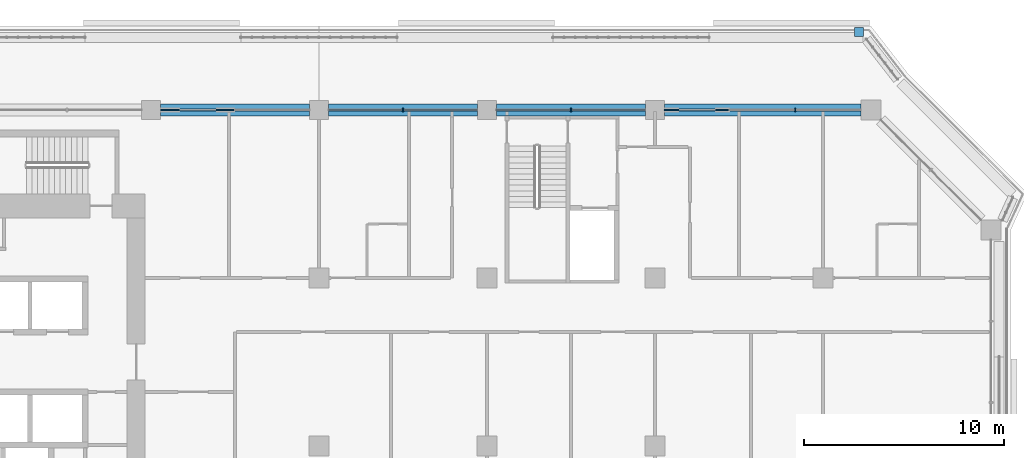
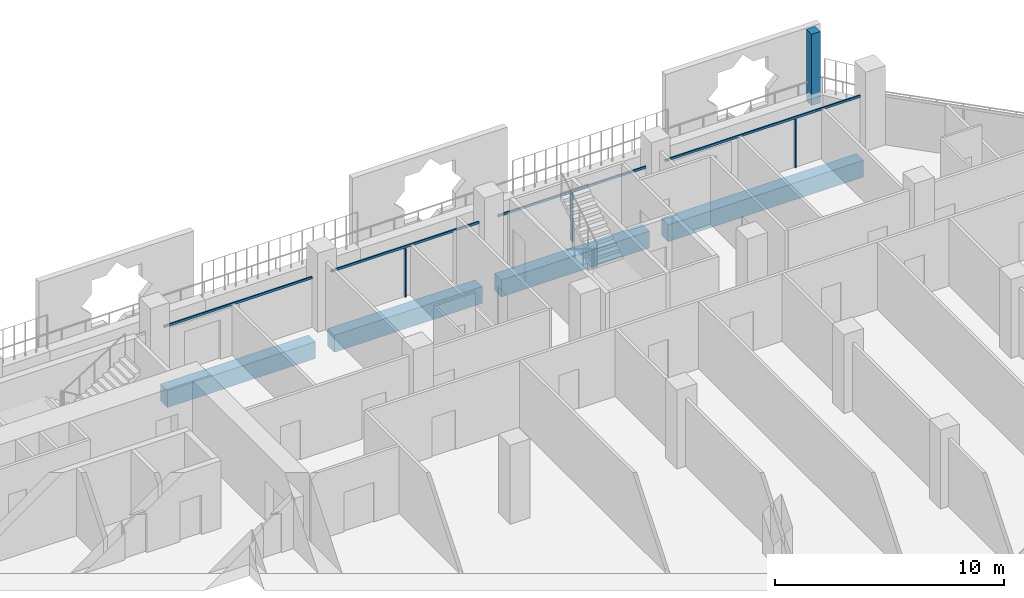
# One storey, part 6 of 21: 8 members, 4 beams, 2 elements without a shape of their own.
"""IFC4 building model written with IfcOpenShell, lengths in metres."""

import ifcopenshell
import ifcopenshell.guid

model = None  # the IFC model being written
_history = None  # IfcOwnerHistory: only IFC2X3 demands one
_inside = {}  # id of a spatial element -> (the spatial element, [elements in it])
_under = {}  # id of a project, library or spatial element -> (it, [spatial elements below it])
_declared = {}  # id of a project -> (the project, [libraries it declares])
_typed = {}  # id of a type object -> (the type object, [elements of that type])
_made_of = {}  # id of a material, layer set ... -> (it, [elements and type objects made of it])


def new_model(schema):
    """Start an empty IFC model of exactly this schema.

    Asked for "IFC4X3", IfcOpenShell would pick the latest addendum, in which some entities
    have other attributes; the version numbers below select the first issue.
    IFC2X3 requires an IfcOwnerHistory on every rooted entity: one is made here for all.
    """
    global model, _history
    if schema == "IFC4X3":
        model = ifcopenshell.file(schema_version=(4, 3, 0, 0))
    else:
        model = ifcopenshell.file(schema=schema)
    _inside.clear()
    _under.clear()
    _declared.clear()
    _typed.clear()
    _made_of.clear()
    _history = None
    if model.schema == "IFC2X3":
        org = make("IfcOrganization", Name="unknown")
        user = make(
            "IfcPersonAndOrganization",
            ThePerson=make("IfcPerson", FamilyName="unknown"),
            TheOrganization=org,
        )
        app = make(
            "IfcApplication",
            ApplicationDeveloper=org,
            Version="unknown",
            ApplicationFullName="unknown",
            ApplicationIdentifier="unknown",
        )
        _history = make(
            "IfcOwnerHistory",
            OwningUser=user,
            OwningApplication=app,
            ChangeAction="ADDED",
            CreationDate=0,
        )
    return model


def make(cls, **values):
    """One entity of the class cls with the attributes given. An attribute that is None is left unset."""
    return model.create_entity(
        cls, **{name: value for name, value in values.items() if value is not None}
    )


def rooted(cls, **values):
    """An entity with a GlobalId (a new one), such as an element, a storey or a relation."""
    return make(cls, GlobalId=ifcopenshell.guid.new(), OwnerHistory=_history, **values)


def si_unit(unit_type, name, prefix=None):
    """IfcSIUnit, for example si_unit("LENGTHUNIT", "METRE", prefix="MILLI")."""
    return make("IfcSIUnit", UnitType=unit_type, Prefix=prefix, Name=name)


def assignment(units):
    """IfcUnitAssignment: the units of a project."""
    return None if units is None else make("IfcUnitAssignment", Units=units)


def point(xyz):
    """IfcCartesianPoint."""
    return None if xyz is None else make("IfcCartesianPoint", Coordinates=xyz)


def direction(xyz):
    """IfcDirection."""
    return None if xyz is None else make("IfcDirection", DirectionRatios=xyz)


def frame(location, z_axis=None, x_axis=None):
    """IfcAxis2Placement3D, a coordinate frame: its origin and axes. An axis left out is left unset."""
    return make(
        "IfcAxis2Placement3D",
        Location=point(location),
        Axis=direction(z_axis),
        RefDirection=direction(x_axis),
    )


def frame_2d(location, x_axis=None):
    """IfcAxis2Placement2D, a coordinate frame in the plane: its origin and x axis."""
    return make(
        "IfcAxis2Placement2D", Location=point(location), RefDirection=direction(x_axis)
    )


def origin():
    """The frame at (0, 0, 0) with its axes left unset."""
    return frame((0.0, 0.0, 0.0))


def origin_2d():
    """The frame at (0, 0) in the plane with its x axis left unset."""
    return frame_2d((0.0, 0.0))


def place(relative_to, where):
    """IfcLocalPlacement: puts the frame where relative to a parent placement (None: the world)."""
    return make(
        "IfcLocalPlacement", PlacementRelTo=relative_to, RelativePlacement=where
    )


def context(
    kind, dimensions, precision=None, world=None, true_north=None, identifier=None
):
    """IfcGeometricRepresentationContext, for example the 3D "Model" context."""
    return make(
        "IfcGeometricRepresentationContext",
        ContextIdentifier=identifier,
        ContextType=kind,
        CoordinateSpaceDimension=dimensions,
        Precision=precision,
        WorldCoordinateSystem=world,
        TrueNorth=true_north,
    )


def subcontext(parent, identifier, kind, view, scale=None):
    """IfcGeometricRepresentationSubContext, for example "Body" below "Model"."""
    return make(
        "IfcGeometricRepresentationSubContext",
        ContextIdentifier=identifier,
        ContextType=kind,
        ParentContext=parent,
        TargetScale=scale,
        TargetView=view,
    )


def project(units=None, contexts=None):
    """IfcProject with its units and contexts."""
    return rooted(
        "IfcProject",
        Name="project",
        RepresentationContexts=contexts,
        UnitsInContext=assignment(units),
    )


def spatial(cls, under=None, at=None, **own):
    """A site, building, storey or space (cls), placed at a placement, below another one or the project."""
    s = rooted(cls, ObjectPlacement=at, **own)
    if under is not None:
        _under.setdefault(under.id(), (under, []))[1].append(s)
    return s


def profile(cls, at=None, kind="AREA", **sizes):
    """A parametric profile (cls). Its sizes go by their IFC names, for example OverallWidth=200.0."""
    return make(cls, ProfileType=kind, Position=at, **sizes)


def rectangle(**sizes):
    """IfcRectangleProfileDef."""
    return profile("IfcRectangleProfileDef", **sizes)


def extrude(swept, where, along, depth):
    """IfcExtrudedAreaSolid: the profile swept, set in the frame where, extruded along a direction by depth."""
    return make(
        "IfcExtrudedAreaSolid",
        SweptArea=swept,
        Position=where,
        ExtrudedDirection=direction(along),
        Depth=depth,
    )


def shape(context_of_items, identifier, shape_type, items):
    """IfcShapeRepresentation: the items that make up one representation, for example the "Body"."""
    return make(
        "IfcShapeRepresentation",
        ContextOfItems=context_of_items,
        RepresentationIdentifier=identifier,
        RepresentationType=shape_type,
        Items=items,
    )


def material(Name=None, Category=None):
    """IfcMaterial."""
    return make("IfcMaterial", Name=Name, Category=Category)


def layer(
    of_material, thickness, ventilated=None, Name=None, Category=None, Priority=None
):
    """IfcMaterialLayer: one layer of a wall or slab, of a material (None: an air gap)."""
    return make(
        "IfcMaterialLayer",
        Material=of_material,
        LayerThickness=thickness,
        IsVentilated=ventilated,
        Name=Name,
        Category=Category,
        Priority=Priority,
    )


def layer_set(layers, Name=None):
    """IfcMaterialLayerSet."""
    return make("IfcMaterialLayerSet", MaterialLayers=layers, LayerSetName=Name)


def material_profile(
    of_material, cross_section, Name=None, Category=None, Priority=None
):
    """IfcMaterialProfile: a cross section and its material."""
    return make(
        "IfcMaterialProfile",
        Name=Name,
        Material=of_material,
        Profile=cross_section,
        Priority=Priority,
        Category=Category,
    )


def profile_set(profiles, Name=None, composite=None):
    """IfcMaterialProfileSet."""
    return make(
        "IfcMaterialProfileSet",
        Name=Name,
        MaterialProfiles=profiles,
        CompositeProfile=composite,
    )


def made_of(thing, what):
    """Note that an element or type object is made of a material, layer set ...; save() writes the relation."""
    if what is not None:
        _made_of.setdefault(what.id(), (what, []))[1].append(thing)
    return thing


def type_object(cls, material=None, **own):
    """A type object (cls), such as IfcWallType, which elements share."""
    return made_of(rooted(cls, **own), material)


def element(
    cls,
    number,
    at=None,
    inside=None,
    cuts=None,
    type_object=None,
    material=None,
    context=None,
    identifier="Body",
    shape_type=None,
    held_by="IfcProductDefinitionShape",
    body=None,
    shapes=None,
    **own,
):
    """One element of the class cls, such as IfcWall. Its Tag is "e" and its number.

    at: its placement. inside: the storey or other place that contains it. cuts: it is an
    opening in that element (IfcRelVoidsElement). A single representation is given by context,
    identifier, shape_type and body (its items); several are given by shapes. held_by: the class
    of the entity that holds the representations. save() writes the other relations.
    """
    e = rooted(cls, Tag="e%d" % number, ObjectPlacement=at, **own)
    if body is not None:
        shapes = [shape(context, identifier, shape_type, body)]
    if shapes is not None:
        e.Representation = make(held_by, Representations=shapes)
    if inside is not None:
        _inside.setdefault(inside.id(), (inside, []))[1].append(e)
    if cuts is not None:
        rooted(
            "IfcRelVoidsElement", RelatingBuildingElement=cuts, RelatedOpeningElement=e
        )
    if type_object is not None:
        _typed.setdefault(type_object.id(), (type_object, []))[1].append(e)
    return made_of(e, material)


def aggregate(whole, parts):
    """IfcRelAggregates: a whole, such as a stair, and the parts it consists of."""
    return rooted("IfcRelAggregates", RelatingObject=whole, RelatedObjects=parts)


def save(model, path):
    """Write the relations noted so far, then the file.

    IfcRelAggregates (storeys below a building ...), IfcRelContainedInSpatialStructure (elements
    in a storey), IfcRelDefinesByType, IfcRelAssociatesMaterial and IfcRelDeclares: one each for
    every whole, place, type object, material and project.
    """
    for whole, parts in _under.values():
        aggregate(whole, parts)
    for where, things in _inside.values():
        rooted(
            "IfcRelContainedInSpatialStructure",
            RelatedElements=things,
            RelatingStructure=where,
        )
    for kind, things in _typed.values():
        rooted("IfcRelDefinesByType", RelatedObjects=things, RelatingType=kind)
    for what, things in _made_of.values():
        rooted("IfcRelAssociatesMaterial", RelatedObjects=things, RelatingMaterial=what)
    for by, libraries in _declared.values():
        rooted("IfcRelDeclares", RelatingContext=by, RelatedDefinitions=libraries)
    model.write(path)


model = new_model("IFC4")

# Units and contexts
model_context = context("Model", 3, precision=1e-05, world=origin(), true_north=direction((0.0, 1.0)))
body_context = subcontext(model_context, "Body", "Model", "MODEL_VIEW")
ifc_project = project(units=[si_unit("LENGTHUNIT", "METRE"), si_unit("AREAUNIT", "SQUARE_METRE"), si_unit("VOLUMEUNIT", "CUBIC_METRE"), si_unit("PLANEANGLEUNIT", "RADIAN"), si_unit("MASSUNIT", "GRAM", prefix="KILO")], contexts=[model_context])

# Site, building, storey
site_placement = place(None, origin())
site = spatial("IfcSite", under=ifc_project, at=site_placement, CompositionType="ELEMENT")
building_placement = place(site_placement, origin())
building = spatial("IfcBuilding", under=site, at=building_placement, Name="Kawkab Arch Medical Tower", CompositionType="ELEMENT")
storey_placement = place(building_placement, frame((0.0, 0.0, 200.39990234375)))
storey = spatial("IfcBuildingStorey", under=building, at=storey_placement, Name="L46", CompositionType="ELEMENT", Elevation=200.39990234375)

# Curtain wall, members
ifc_material_1 = material(Name="Bronze anodised aluminium curtain wall frame", Category="aluminium")
ifc_layer_1 = layer(ifc_material_1, 0.159912109375)
ifc_layer_set_1 = layer_set([ifc_layer_1], Name="Bronze anodised aluminium curtain wall frame")
curtain_wall_type_1 = type_object("IfcCurtainWallType", Name="CW1 ward curtain wall", PredefinedType="NOTDEFINED", material=ifc_layer_set_1)
placement = place(storey_placement, origin())
curtain_wall_1 = element("IfcCurtainWall", 1, at=placement, inside=storey, type_object=curtain_wall_type_1, Name="CW1 Ward curtain wall R11", PredefinedType="NOTDEFINED")
ifc_material_2 = material(Name="Bronze anodised aluminium curtain wall frame", Category="aluminium")
ifc_material_profile_1 = material_profile(ifc_material_2, rectangle(XDim=0.179931640625, YDim=0.06005859375, at=origin_2d()), Name="AL 60x180")
ifc_profile_set_1 = profile_set([ifc_material_profile_1], Name="Bronze anodised aluminium curtain wall frame")
member_type_1 = type_object("IfcMemberType", Name="CW1 mullion 60 x 180", PredefinedType="MULLION", material=ifc_profile_set_1)
member_1_placement = place(storey_placement, frame((57.425048828125, 0.0, 0.0), z_axis=(0.0, 0.0, 1.0), x_axis=(0.0, -1.0, 0.0)))
member_1 = element("IfcMember", 2, at=member_1_placement, type_object=member_type_1, Name="CW1 mullion 1.1", PredefinedType="MULLION", context=body_context, shape_type="SweptSolid", body=[
    extrude(rectangle(XDim=0.179931640625, YDim=0.06005859375, at=origin_2d()), origin(), (0.0, 0.0, 1.0), 2.580078125),
])
member_2_placement = place(storey_placement, frame((46.199951171875, 0.0, 0.0), z_axis=(0.0, 0.0, 1.0), x_axis=(0.0, -1.0, 0.0)))
member_2 = element("IfcMember", 3, at=member_2_placement, type_object=member_type_1, Name="CW1 mullion 2.1", PredefinedType="MULLION", context=body_context, shape_type="SweptSolid", body=[
    extrude(rectangle(XDim=0.179931640625, YDim=0.06005859375, at=origin_2d()), origin(), (0.0, 0.0, 1.0), 2.580078125),
])
member_3_placement = place(storey_placement, frame((37.800048828125, 0.0, 0.0), z_axis=(0.0, 0.0, 1.0), x_axis=(0.0, -1.0, 0.0)))
member_3 = element("IfcMember", 4, at=member_3_placement, type_object=member_type_1, Name="CW1 mullion 3.1", PredefinedType="MULLION", context=body_context, shape_type="SweptSolid", body=[
    extrude(rectangle(XDim=0.179931640625, YDim=0.06005859375, at=origin_2d()), origin(), (0.0, 0.0, 1.0), 2.580078125),
])
ifc_material_3 = material(Name="Bronze anodised aluminium curtain wall frame", Category="aluminium")
ifc_material_profile_2 = material_profile(ifc_material_3, rectangle(XDim=0.06005859375, YDim=0.1201171875, at=origin_2d()), Name="AL 60x120")
ifc_profile_set_2 = profile_set([ifc_material_profile_2], Name="Bronze anodised aluminium curtain wall frame")
member_type_2 = type_object("IfcMemberType", Name="CW1 transom 120 x 60", PredefinedType="USERDEFINED", material=ifc_profile_set_2)
member_4_placement = place(storey_placement, frame((60.699951171875, 0.0, 2.64013671875), z_axis=(-1.0, 0.0, 0.0), x_axis=(0.0, -1.0, 0.0)))
member_4 = element("IfcMember", 5, at=member_4_placement, type_object=member_type_2, Name="CW1 transom 1", ObjectType="TRANSOM", PredefinedType="USERDEFINED", context=body_context, shape_type="SweptSolid", body=[
    extrude(rectangle(XDim=0.06005859375, YDim=0.1201171875, at=origin_2d()), origin(), (0.0, 0.0, 1.0), 9.824951171875),
])
member_5_placement = place(storey_placement, frame((49.925048828125, 0.0, 2.64013671875), z_axis=(-1.0, 0.0, 0.0), x_axis=(0.0, -1.0, 0.0)))
member_5 = element("IfcMember", 6, at=member_5_placement, type_object=member_type_2, Name="CW1 transom 2", ObjectType="TRANSOM", PredefinedType="USERDEFINED", context=body_context, shape_type="SweptSolid", body=[
    extrude(rectangle(XDim=0.06005859375, YDim=0.1201171875, at=origin_2d()), origin(), (0.0, 0.0, 1.0), 7.449951171875),
])
member_6_placement = place(storey_placement, frame((41.52490234375, 0.0, 2.64013671875), z_axis=(-1.0, 0.0, 0.0), x_axis=(0.0, -1.0, 0.0)))
member_6 = element("IfcMember", 7, at=member_6_placement, type_object=member_type_2, Name="CW1 transom 3", ObjectType="TRANSOM", PredefinedType="USERDEFINED", context=body_context, shape_type="SweptSolid", body=[
    extrude(rectangle(XDim=0.06005859375, YDim=0.1201171875, at=origin_2d()), origin(), (0.0, 0.0, 1.0), 7.449951171875),
])
member_7_placement = place(storey_placement, frame((33.125, 0.0, 2.64013671875), z_axis=(-1.0, 0.0, 0.0), x_axis=(0.0, -1.0, 0.0)))
member_7 = element("IfcMember", 8, at=member_7_placement, type_object=member_type_2, Name="CW1 transom 4", ObjectType="TRANSOM", PredefinedType="USERDEFINED", context=body_context, shape_type="SweptSolid", body=[
    extrude(rectangle(XDim=0.06005859375, YDim=0.1201171875, at=origin_2d()), origin(), (0.0, 0.0, 1.0), 7.449951171875),
])
aggregate(curtain_wall_1, [member_4, member_1, member_5, member_2, member_6, member_3, member_7])

# Curtain wall, member
ifc_material_4 = material(Name="Bronze anodised aluminium climber frame, planted", Category="aluminium")
ifc_layer_2 = layer(ifc_material_4, 0.449951171875)
ifc_layer_set_2 = layer_set([ifc_layer_2], Name="Bronze anodised aluminium climber frame, planted")
curtain_wall_type_2 = type_object("IfcCurtainWallType", Name="Planted climber frame", PredefinedType="NOTDEFINED", material=ifc_layer_set_2)
curtain_wall_2 = element("IfcCurtainWall", 9, at=placement, inside=storey, type_object=curtain_wall_type_2, Name="Planted climber frame L46", PredefinedType="NOTDEFINED")
ifc_material_5 = material(Name="Bronze anodised aluminium climber frame, planted", Category="aluminium")
ifc_material_profile_3 = material_profile(ifc_material_5, rectangle(XDim=0.449951171875, YDim=0.449951171875, at=origin_2d()), Name="Post 450x450")
ifc_profile_set_3 = profile_set([ifc_material_profile_3], Name="Bronze anodised aluminium climber frame, planted")
member_type_3 = type_object("IfcMemberType", Name="Planted climber post 450 x 450", PredefinedType="MULLION", material=ifc_profile_set_3)
member_8_placement = place(storey_placement, frame((60.60302734375, 3.89990234375, 0.0), z_axis=(0.0, 0.0, 1.0), x_axis=(1.0, 0.0, 0.0)))
member_8 = element("IfcMember", 10, at=member_8_placement, type_object=member_type_3, Name="Planted climber post L46.LOG-01-01.2", PredefinedType="MULLION", context=body_context, shape_type="SweptSolid", body=[
    extrude(rectangle(XDim=0.449951171875, YDim=0.449951171875, at=origin_2d()), origin(), (0.0, 0.0, 1.0), 3.800048828125),
])
aggregate(curtain_wall_2, [member_8])

# Beams
ifc_material_6 = material(Name="Concrete C50/60", Category="concrete")
ifc_material_profile_4 = material_profile(ifc_material_6, rectangle(XDim=0.60009765625, YDim=0.89990234375, at=origin_2d()), Name="RC 600x900")
ifc_profile_set_4 = profile_set([ifc_material_profile_4], Name="Concrete C50/60")
beam_type = type_object("IfcBeamType", Name="RC 600x900 beam C50/60", PredefinedType="BEAM", material=ifc_profile_set_4)
for number, where, z_axis, x_axis, name in (
    (11, (25.675048828125, 0.0, -1.0498046875), (1.0, 0.0, 0.0), (0.0, 1.0, 0.0), "Overhang edge beam L46-04"),
    (12, (34.074951171875, 0.0, -1.0498046875), (1.0, 0.0, 0.0), (0.0, 1.0, 0.0), "Overhang edge beam L46-05"),
    (13, (42.47509765625, 0.0, -1.0498046875), (1.0, 0.0, 0.0), (0.0, 1.0, 0.0), "Overhang edge beam L46-06"),
):
    element("IfcBeam", number, at=place(storey_placement, frame(where, z_axis=z_axis, x_axis=x_axis)), inside=storey, type_object=beam_type, Name=name, PredefinedType="BEAM", context=body_context, shape_type="SweptSolid", body=[
        extrude(rectangle(XDim=0.60009765625, YDim=0.89990234375, at=origin_2d()), origin(), (0.0, 0.0, 1.0), 7.449951171875),
    ])
beam_placement = place(storey_placement, frame((50.875, 0.0, -1.0498046875), z_axis=(1.0, 0.0, 0.0), x_axis=(0.0, 1.0, 0.0)))
element("IfcBeam", 14, at=beam_placement, inside=storey, type_object=beam_type, Name="Overhang edge beam L46-07", PredefinedType="BEAM", context=body_context, shape_type="SweptSolid", body=[
    extrude(rectangle(XDim=0.60009765625, YDim=0.89990234375, at=origin_2d()), origin(), (0.0, 0.0, 1.0), 9.824951171875),
])

save(model, "model.ifc")
